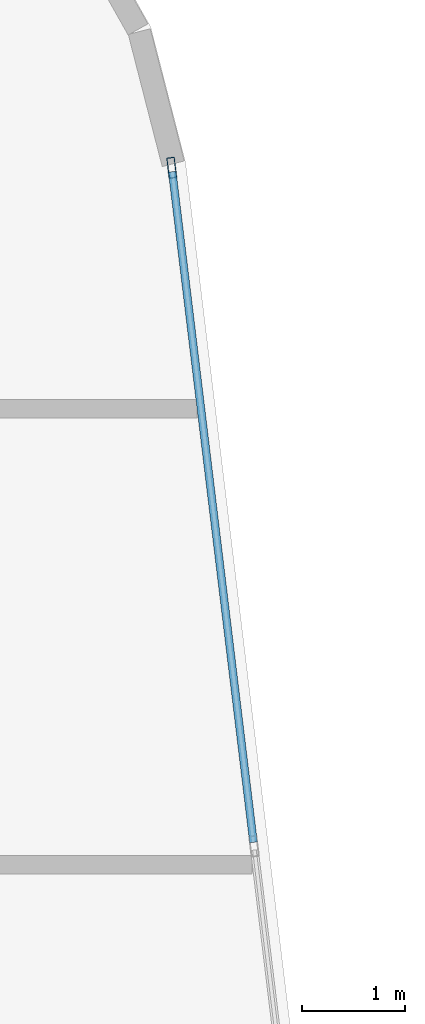
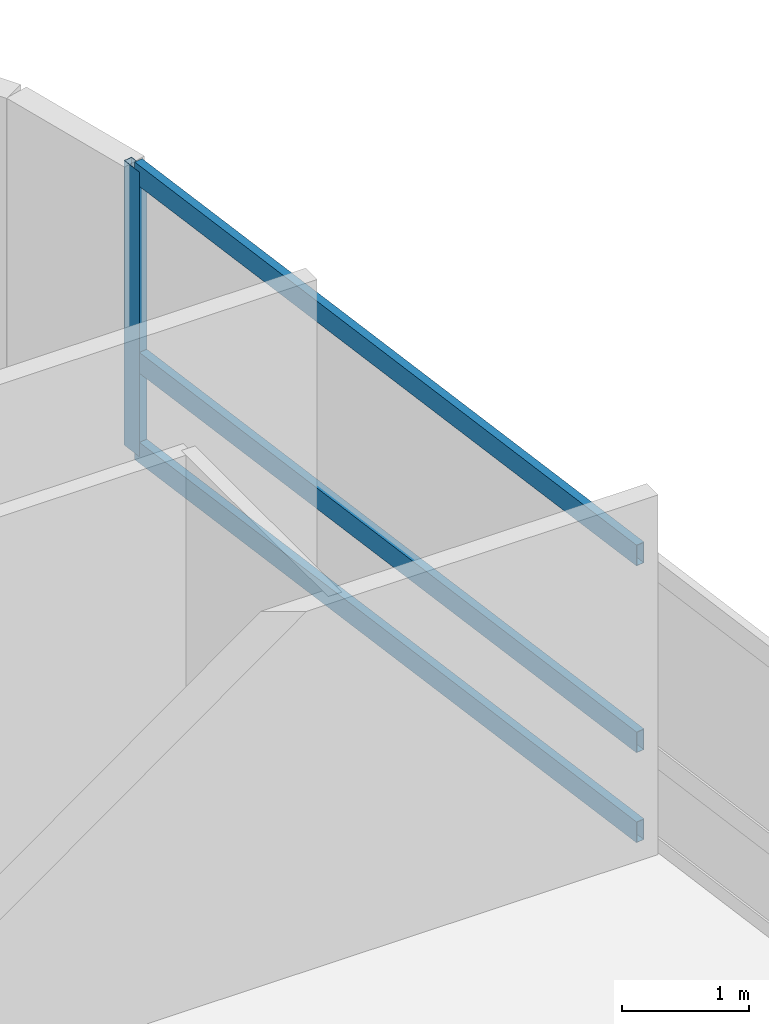
# One storey, part 12 of 23: 4 members, 1 element without a shape of its own.
"""IFC4 building model written with IfcOpenShell, lengths in metres."""

import ifcopenshell
import ifcopenshell.guid

model = None  # the IFC model being written
_history = None  # IfcOwnerHistory: only IFC2X3 demands one
_inside = {}  # id of a spatial element -> (the spatial element, [elements in it])
_under = {}  # id of a project, library or spatial element -> (it, [spatial elements below it])
_declared = {}  # id of a project -> (the project, [libraries it declares])
_typed = {}  # id of a type object -> (the type object, [elements of that type])
_made_of = {}  # id of a material, layer set ... -> (it, [elements and type objects made of it])


def new_model(schema):
    """Start an empty IFC model of exactly this schema.

    Asked for "IFC4X3", IfcOpenShell would pick the latest addendum, in which some entities
    have other attributes; the version numbers below select the first issue.
    IFC2X3 requires an IfcOwnerHistory on every rooted entity: one is made here for all.
    """
    global model, _history
    if schema == "IFC4X3":
        model = ifcopenshell.file(schema_version=(4, 3, 0, 0))
    else:
        model = ifcopenshell.file(schema=schema)
    _inside.clear()
    _under.clear()
    _declared.clear()
    _typed.clear()
    _made_of.clear()
    _history = None
    if model.schema == "IFC2X3":
        org = make("IfcOrganization", Name="unknown")
        user = make(
            "IfcPersonAndOrganization",
            ThePerson=make("IfcPerson", FamilyName="unknown"),
            TheOrganization=org,
        )
        app = make(
            "IfcApplication",
            ApplicationDeveloper=org,
            Version="unknown",
            ApplicationFullName="unknown",
            ApplicationIdentifier="unknown",
        )
        _history = make(
            "IfcOwnerHistory",
            OwningUser=user,
            OwningApplication=app,
            ChangeAction="ADDED",
            CreationDate=0,
        )
    return model


def make(cls, **values):
    """One entity of the class cls with the attributes given. An attribute that is None is left unset."""
    return model.create_entity(
        cls, **{name: value for name, value in values.items() if value is not None}
    )


def rooted(cls, **values):
    """An entity with a GlobalId (a new one), such as an element, a storey or a relation."""
    return make(cls, GlobalId=ifcopenshell.guid.new(), OwnerHistory=_history, **values)


def si_unit(unit_type, name, prefix=None):
    """IfcSIUnit, for example si_unit("LENGTHUNIT", "METRE", prefix="MILLI")."""
    return make("IfcSIUnit", UnitType=unit_type, Prefix=prefix, Name=name)


def assignment(units):
    """IfcUnitAssignment: the units of a project."""
    return None if units is None else make("IfcUnitAssignment", Units=units)


def point(xyz):
    """IfcCartesianPoint."""
    return None if xyz is None else make("IfcCartesianPoint", Coordinates=xyz)


def direction(xyz):
    """IfcDirection."""
    return None if xyz is None else make("IfcDirection", DirectionRatios=xyz)


def frame(location, z_axis=None, x_axis=None):
    """IfcAxis2Placement3D, a coordinate frame: its origin and axes. An axis left out is left unset."""
    return make(
        "IfcAxis2Placement3D",
        Location=point(location),
        Axis=direction(z_axis),
        RefDirection=direction(x_axis),
    )


def frame_2d(location, x_axis=None):
    """IfcAxis2Placement2D, a coordinate frame in the plane: its origin and x axis."""
    return make(
        "IfcAxis2Placement2D", Location=point(location), RefDirection=direction(x_axis)
    )


def origin():
    """The frame at (0, 0, 0) with its axes left unset."""
    return frame((0.0, 0.0, 0.0))


def origin_2d():
    """The frame at (0, 0) in the plane with its x axis left unset."""
    return frame_2d((0.0, 0.0))


def place(relative_to, where):
    """IfcLocalPlacement: puts the frame where relative to a parent placement (None: the world)."""
    return make(
        "IfcLocalPlacement", PlacementRelTo=relative_to, RelativePlacement=where
    )


def context(
    kind, dimensions, precision=None, world=None, true_north=None, identifier=None
):
    """IfcGeometricRepresentationContext, for example the 3D "Model" context."""
    return make(
        "IfcGeometricRepresentationContext",
        ContextIdentifier=identifier,
        ContextType=kind,
        CoordinateSpaceDimension=dimensions,
        Precision=precision,
        WorldCoordinateSystem=world,
        TrueNorth=true_north,
    )


def subcontext(parent, identifier, kind, view, scale=None):
    """IfcGeometricRepresentationSubContext, for example "Body" below "Model"."""
    return make(
        "IfcGeometricRepresentationSubContext",
        ContextIdentifier=identifier,
        ContextType=kind,
        ParentContext=parent,
        TargetScale=scale,
        TargetView=view,
    )


def project(units=None, contexts=None):
    """IfcProject with its units and contexts."""
    return rooted(
        "IfcProject",
        Name="project",
        RepresentationContexts=contexts,
        UnitsInContext=assignment(units),
    )


def spatial(cls, under=None, at=None, **own):
    """A site, building, storey or space (cls), placed at a placement, below another one or the project."""
    s = rooted(cls, ObjectPlacement=at, **own)
    if under is not None:
        _under.setdefault(under.id(), (under, []))[1].append(s)
    return s


def profile(cls, at=None, kind="AREA", **sizes):
    """A parametric profile (cls). Its sizes go by their IFC names, for example OverallWidth=200.0."""
    return make(cls, ProfileType=kind, Position=at, **sizes)


def hollow_rectangle(**sizes):
    """IfcRectangleHollowProfileDef."""
    return profile("IfcRectangleHollowProfileDef", **sizes)


def extrude(swept, where, along, depth):
    """IfcExtrudedAreaSolid: the profile swept, set in the frame where, extruded along a direction by depth."""
    return make(
        "IfcExtrudedAreaSolid",
        SweptArea=swept,
        Position=where,
        ExtrudedDirection=direction(along),
        Depth=depth,
    )


def shape(context_of_items, identifier, shape_type, items):
    """IfcShapeRepresentation: the items that make up one representation, for example the "Body"."""
    return make(
        "IfcShapeRepresentation",
        ContextOfItems=context_of_items,
        RepresentationIdentifier=identifier,
        RepresentationType=shape_type,
        Items=items,
    )


def material(Name=None, Category=None):
    """IfcMaterial."""
    return make("IfcMaterial", Name=Name, Category=Category)


def layer(
    of_material, thickness, ventilated=None, Name=None, Category=None, Priority=None
):
    """IfcMaterialLayer: one layer of a wall or slab, of a material (None: an air gap)."""
    return make(
        "IfcMaterialLayer",
        Material=of_material,
        LayerThickness=thickness,
        IsVentilated=ventilated,
        Name=Name,
        Category=Category,
        Priority=Priority,
    )


def layer_set(layers, Name=None):
    """IfcMaterialLayerSet."""
    return make("IfcMaterialLayerSet", MaterialLayers=layers, LayerSetName=Name)


def material_profile(
    of_material, cross_section, Name=None, Category=None, Priority=None
):
    """IfcMaterialProfile: a cross section and its material."""
    return make(
        "IfcMaterialProfile",
        Name=Name,
        Material=of_material,
        Profile=cross_section,
        Priority=Priority,
        Category=Category,
    )


def profile_set(profiles, Name=None, composite=None):
    """IfcMaterialProfileSet."""
    return make(
        "IfcMaterialProfileSet",
        Name=Name,
        MaterialProfiles=profiles,
        CompositeProfile=composite,
    )


def made_of(thing, what):
    """Note that an element or type object is made of a material, layer set ...; save() writes the relation."""
    if what is not None:
        _made_of.setdefault(what.id(), (what, []))[1].append(thing)
    return thing


def type_object(cls, material=None, **own):
    """A type object (cls), such as IfcWallType, which elements share."""
    return made_of(rooted(cls, **own), material)


def element(
    cls,
    number,
    at=None,
    inside=None,
    cuts=None,
    type_object=None,
    material=None,
    context=None,
    identifier="Body",
    shape_type=None,
    held_by="IfcProductDefinitionShape",
    body=None,
    shapes=None,
    **own,
):
    """One element of the class cls, such as IfcWall. Its Tag is "e" and its number.

    at: its placement. inside: the storey or other place that contains it. cuts: it is an
    opening in that element (IfcRelVoidsElement). A single representation is given by context,
    identifier, shape_type and body (its items); several are given by shapes. held_by: the class
    of the entity that holds the representations. save() writes the other relations.
    """
    e = rooted(cls, Tag="e%d" % number, ObjectPlacement=at, **own)
    if body is not None:
        shapes = [shape(context, identifier, shape_type, body)]
    if shapes is not None:
        e.Representation = make(held_by, Representations=shapes)
    if inside is not None:
        _inside.setdefault(inside.id(), (inside, []))[1].append(e)
    if cuts is not None:
        rooted(
            "IfcRelVoidsElement", RelatingBuildingElement=cuts, RelatedOpeningElement=e
        )
    if type_object is not None:
        _typed.setdefault(type_object.id(), (type_object, []))[1].append(e)
    return made_of(e, material)


def aggregate(whole, parts):
    """IfcRelAggregates: a whole, such as a stair, and the parts it consists of."""
    return rooted("IfcRelAggregates", RelatingObject=whole, RelatedObjects=parts)


def save(model, path):
    """Write the relations noted so far, then the file.

    IfcRelAggregates (storeys below a building ...), IfcRelContainedInSpatialStructure (elements
    in a storey), IfcRelDefinesByType, IfcRelAssociatesMaterial and IfcRelDeclares: one each for
    every whole, place, type object, material and project.
    """
    for whole, parts in _under.values():
        aggregate(whole, parts)
    for where, things in _inside.values():
        rooted(
            "IfcRelContainedInSpatialStructure",
            RelatedElements=things,
            RelatingStructure=where,
        )
    for kind, things in _typed.values():
        rooted("IfcRelDefinesByType", RelatedObjects=things, RelatingType=kind)
    for what, things in _made_of.values():
        rooted("IfcRelAssociatesMaterial", RelatedObjects=things, RelatingMaterial=what)
    for by, libraries in _declared.values():
        rooted("IfcRelDeclares", RelatingContext=by, RelatedDefinitions=libraries)
    model.write(path)


model = new_model("IFC4")

# Units and contexts
model_context = context("Model", 3, precision=1e-05, world=origin(), true_north=direction((0.0, 1.0)))
body_context = subcontext(model_context, "Body", "Model", "MODEL_VIEW")
ifc_project = project(units=[si_unit("LENGTHUNIT", "METRE"), si_unit("AREAUNIT", "SQUARE_METRE"), si_unit("VOLUMEUNIT", "CUBIC_METRE"), si_unit("PLANEANGLEUNIT", "RADIAN"), si_unit("MASSUNIT", "GRAM", prefix="KILO")], contexts=[model_context])

# Site, building, storey
site_placement = place(None, origin())
site = spatial("IfcSite", under=ifc_project, at=site_placement, CompositionType="ELEMENT")
building_placement = place(site_placement, origin())
building = spatial("IfcBuilding", under=site, at=building_placement, Name="Varnelok Gate Tower", CompositionType="ELEMENT")
storey_placement = place(building_placement, frame((0.0, 0.0, 189.39990234375)))
storey = spatial("IfcBuildingStorey", under=building, at=storey_placement, Name="L48", CompositionType="ELEMENT", Elevation=189.39990234375)

# Curtain wall, members
ifc_material = material(Name="Anodized Aluminum Alloy 6063-T6", Category="aluminium")
ifc_layer = layer(ifc_material, 0.179931640625)
ifc_layer_set = layer_set([ifc_layer], Name="Anodized Aluminum Alloy 6063-T6")
curtain_wall_type = type_object("IfcCurtainWallType", Name="CW4-RESIDENCE-VISION", PredefinedType="USERDEFINED", material=ifc_layer_set)
curtain_wall_placement = place(storey_placement, origin())
curtain_wall = element("IfcCurtainWall", 1, at=curtain_wall_placement, inside=storey, type_object=curtain_wall_type, Name="L48 East End Vision Curtain Wall", ObjectType="UNITISED CURTAIN WALL", PredefinedType="USERDEFINED")
ifc_material_profile_1 = material_profile(ifc_material, hollow_rectangle(XDim=0.074951171875, YDim=0.199951171875, WallThickness=0.00390625, at=origin_2d()), Name="ALU200X75X4")
ifc_profile_set_1 = profile_set([ifc_material_profile_1], Name="Anodized Aluminum Alloy 6063-T6")
member_type_1 = type_object("IfcMemberType", Name="CW-MULL-200", PredefinedType="MULLION", material=ifc_profile_set_1)
member_1_placement = place(storey_placement, frame((72.09912109375, 46.07275390625, 0.0), z_axis=(0.0, 0.0, 1.0), x_axis=(0.992732188751, 0.120344511371, 0.0)))
member_1 = element("IfcMember", 2, at=member_1_placement, type_object=member_type_1, Name="CW4 mullion 1", PredefinedType="MULLION", context=body_context, shape_type="SweptSolid", body=[
    extrude(hollow_rectangle(XDim=0.074951171875, YDim=0.199951171875, WallThickness=0.00390625, at=origin_2d()), origin(), (0.0, 0.0, 1.0), 2.72998046875),
])
ifc_material_profile_2 = material_profile(ifc_material, hollow_rectangle(XDim=0.074951171875, YDim=0.199951171875, WallThickness=0.00390625, at=origin_2d()), Name="ALU200X75X4")
ifc_profile_set_2 = profile_set([ifc_material_profile_2], Name="Anodized Aluminum Alloy 6063-T6")
member_type_2 = type_object("IfcMemberType", Name="CW-TRAN-200", PredefinedType="USERDEFINED", material=ifc_profile_set_2)
member_2_placement = place(storey_placement, frame((72.103759765625, 46.035400390625, 0.03759765625), z_axis=(0.120332477695, -0.992733647466, 0.0), x_axis=(0.992733647466, 0.120332477695, 0.0)))
member_2 = element("IfcMember", 3, at=member_2_placement, type_object=member_type_2, Name="CW4 transom 1.1", ObjectType="TRANSOM", PredefinedType="USERDEFINED", context=body_context, shape_type="SweptSolid", body=[
    extrude(hollow_rectangle(XDim=0.074951171875, YDim=0.199951171875, WallThickness=0.00390625, at=origin_2d()), origin(), (0.0, 0.0, 1.0), 6.5673828125),
])
member_3_placement = place(storey_placement, frame((72.103759765625, 46.035400390625, 0.900146484375), z_axis=(0.120332477695, -0.992733647466, 0.0), x_axis=(0.992733647466, 0.120332477695, 0.0)))
member_3 = element("IfcMember", 4, at=member_3_placement, type_object=member_type_2, Name="CW4 transom 1.2", ObjectType="TRANSOM", PredefinedType="USERDEFINED", context=body_context, shape_type="SweptSolid", body=[
    extrude(hollow_rectangle(XDim=0.074951171875, YDim=0.199951171875, WallThickness=0.00390625, at=origin_2d()), origin(), (0.0, 0.0, 1.0), 6.5673828125),
])
member_4_placement = place(storey_placement, frame((72.103759765625, 46.035400390625, 2.692626953125), z_axis=(0.120332477695, -0.992733647466, 0.0), x_axis=(0.992733647466, 0.120332477695, 0.0)))
member_4 = element("IfcMember", 5, at=member_4_placement, type_object=member_type_2, Name="CW4 transom 1.3", ObjectType="TRANSOM", PredefinedType="USERDEFINED", context=body_context, shape_type="SweptSolid", body=[
    extrude(hollow_rectangle(XDim=0.074951171875, YDim=0.199951171875, WallThickness=0.00390625, at=origin_2d()), origin(), (0.0, 0.0, 1.0), 6.5673828125),
])
aggregate(curtain_wall, [member_1, member_2, member_3, member_4])

save(model, "model.ifc")
